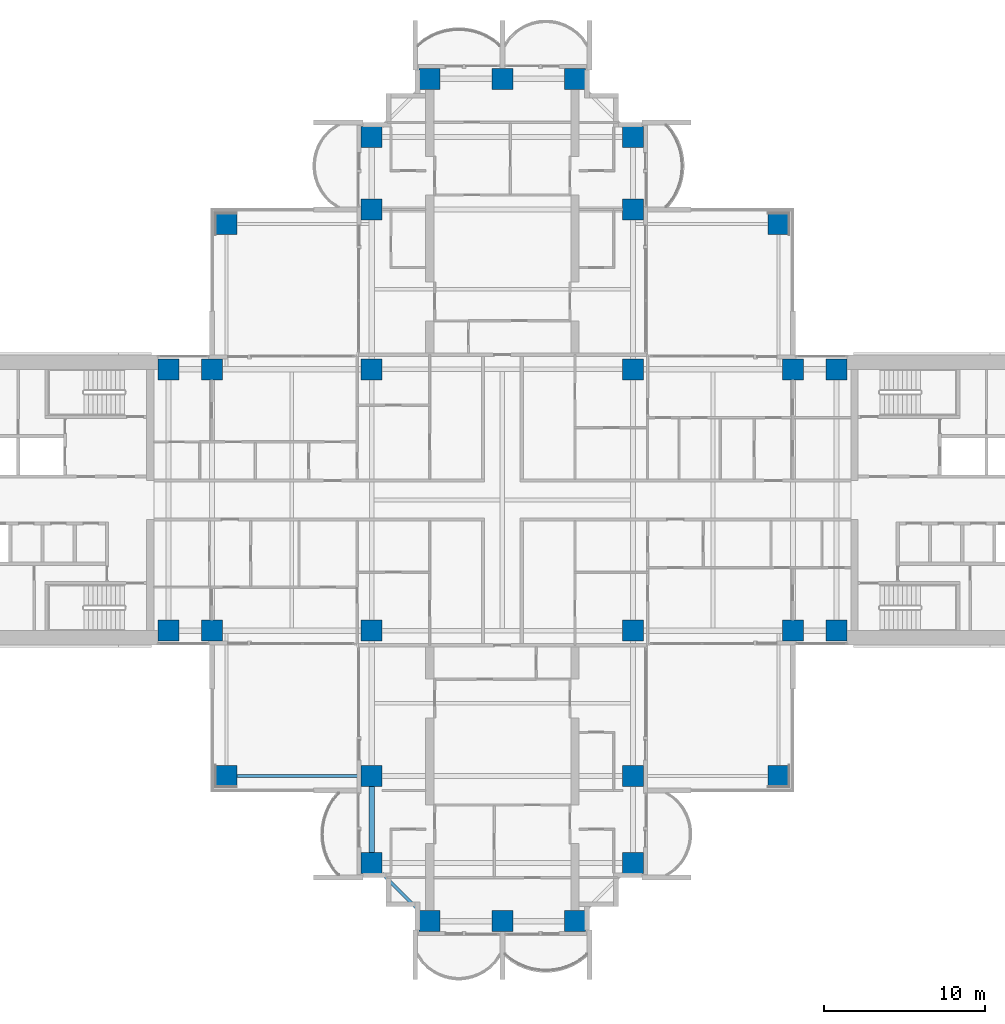
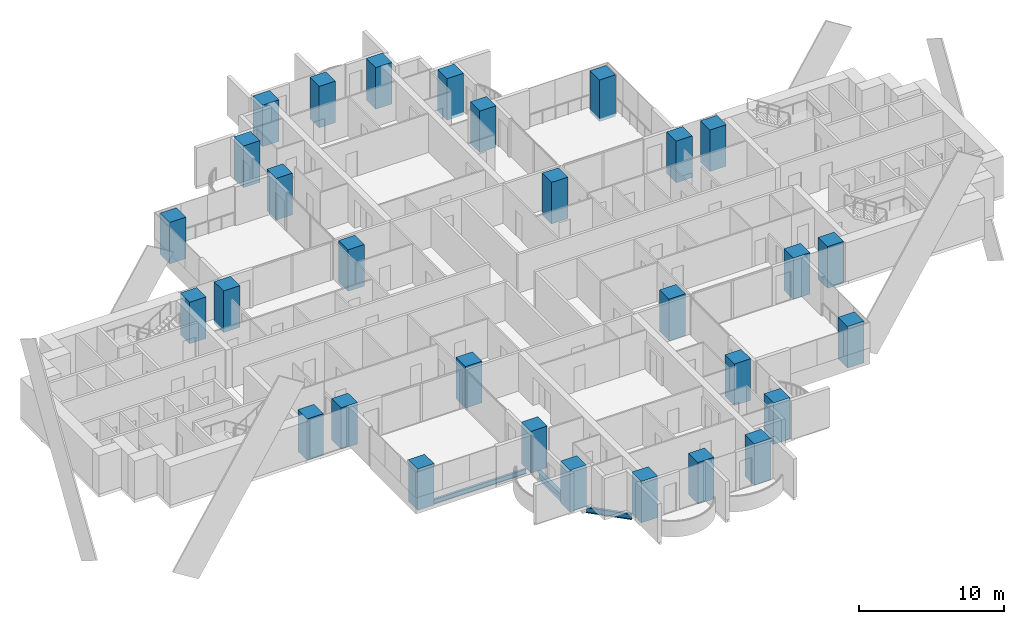
# One storey, part 1 of 23: 30 columns, 3 beams.
"""IFC4 building model written with IfcOpenShell, lengths in metres."""

from ifc_helpers import new_model, si_unit, direction, frame, origin, origin_2d, place, context, subcontext, project, spatial, rectangle, i_section, extrude, material, material_profile, profile_set, type_object, element, save


model = new_model("IFC4")

# Units and contexts
model_context = context("Model", 3, precision=1e-05, world=origin(), true_north=direction((0.0, 1.0)))
body_context = subcontext(model_context, "Body", "Model", "MODEL_VIEW")
ifc_project = project(units=[si_unit("LENGTHUNIT", "METRE"), si_unit("AREAUNIT", "SQUARE_METRE"), si_unit("VOLUMEUNIT", "CUBIC_METRE"), si_unit("PLANEANGLEUNIT", "RADIAN"), si_unit("MASSUNIT", "GRAM", prefix="KILO")], contexts=[model_context])

# Site, building, storey
site_placement = place(None, origin())
site = spatial("IfcSite", under=ifc_project, at=site_placement, CompositionType="ELEMENT")
building_placement = place(site_placement, origin())
building = spatial("IfcBuilding", under=site, at=building_placement, Name="Perihelion Cross Residences", CompositionType="ELEMENT")
storey_placement = place(building_placement, frame((0.0, 0.0, 85.5)))
storey = spatial("IfcBuildingStorey", under=building, at=storey_placement, Name="L19", CompositionType="ELEMENT", Elevation=85.5)

# Columns
ifc_material_1 = material(Name="Concrete C70/85", Category="concrete")
ifc_material_profile_1 = material_profile(ifc_material_1, rectangle(XDim=1.300048828125, YDim=1.300048828125, at=origin_2d()), Name="RC 1300x1300")
ifc_profile_set_1 = profile_set([ifc_material_profile_1], Name="Concrete C70/85")
column_type = type_object("IfcColumnType", Name="Reinforced concrete column 1300x1300 C70/85", PredefinedType="COLUMN", material=ifc_profile_set_1)
for number, where, z_axis, x_axis, name in (
    (1, (-20.699951171875, -8.10009765625, -0.25), (0.0, 0.0, 1.0), (1.0, 0.0, 0.0), "Column C017 L19 no. 1"),
    (2, (-20.699951171875, 8.10009765625, -0.25), (0.0, 0.0, 1.0), (1.0, 0.0, 0.0), "Column C010 L19 no. 1"),
    (3, (-18.0, -8.10009765625, -0.25), (0.0, 0.0, 1.0), (1.0, 0.0, 0.0), "Column C018 L19 no. 1"),
    (4, (-18.0, 8.10009765625, -0.25), (0.0, 0.0, 1.0), (1.0, 0.0, 0.0), "Column C011 L19 no. 1"),
    (5, (-8.10009765625, -22.5, -0.25), (0.0, 0.0, 1.0), (1.0, 0.0, 0.0), "Column C040 L19 no. 1"),
    (6, (-8.10009765625, -17.10009765625, -0.25), (0.0, 0.0, 1.0), (1.0, 0.0, 0.0), "Column C031 L19 no. 1"),
    (7, (-8.10009765625, -8.10009765625, -0.25), (0.0, 0.0, 1.0), (1.0, 0.0, 0.0), "Column C019 L19 no. 1"),
    (8, (-8.10009765625, 8.10009765625, -0.25), (0.0, 0.0, 1.0), (1.0, 0.0, 0.0), "Column C012 L19 no. 1"),
    (9, (-8.10009765625, 18.0, -0.25), (0.0, 0.0, 1.0), (1.0, 0.0, 0.0), "Column C006 L19 no. 1"),
    (10, (-8.10009765625, 22.5, -0.25), (0.0, 0.0, 1.0), (1.0, 0.0, 0.0), "Column C004 L19 no. 1"),
    (11, (-4.5, -26.10009765625, -0.25), (0.0, 0.0, 1.0), (1.0, 0.0, 0.0), "Column C042 L19 no. 1"),
    (12, (-4.5, 26.10009765625, -0.25), (0.0, 0.0, 1.0), (1.0, 0.0, 0.0), "Column C001 L19 no. 1"),
    (13, (0.0, -26.10009765625, -0.25), (0.0, 0.0, 1.0), (1.0, 0.0, 0.0), "Column C043 L19 no. 1"),
    (14, (0.0, 26.10009765625, -0.25), (0.0, 0.0, 1.0), (1.0, 0.0, 0.0), "Column C002 L19 no. 1"),
    (15, (4.5, -26.10009765625, -0.25), (0.0, 0.0, 1.0), (1.0, 0.0, 0.0), "Column C044 L19 no. 1"),
    (16, (4.5, 26.10009765625, -0.25), (0.0, 0.0, 1.0), (1.0, 0.0, 0.0), "Column C003 L19 no. 1"),
    (17, (8.10009765625, -22.5, -0.25), (0.0, 0.0, 1.0), (1.0, 0.0, 0.0), "Column C041 L19 no. 1"),
    (18, (8.10009765625, -17.10009765625, -0.25), (0.0, 0.0, 1.0), (1.0, 0.0, 0.0), "Column C035 L19 no. 1"),
    (19, (8.10009765625, -8.10009765625, -0.25), (0.0, 0.0, 1.0), (1.0, 0.0, 0.0), "Column C020 L19 no. 1"),
    (20, (8.10009765625, 8.10009765625, -0.25), (0.0, 0.0, 1.0), (1.0, 0.0, 0.0), "Column C014 L19 no. 1"),
    (21, (8.10009765625, 18.0, -0.25), (0.0, 0.0, 1.0), (1.0, 0.0, 0.0), "Column C007 L19 no. 1"),
    (22, (8.10009765625, 22.5, -0.25), (0.0, 0.0, 1.0), (1.0, 0.0, 0.0), "Column C005 L19 no. 1"),
    (23, (18.0, -8.10009765625, -0.25), (0.0, 0.0, 1.0), (1.0, 0.0, 0.0), "Column C021 L19 no. 1"),
    (24, (18.0, 8.10009765625, -0.25), (0.0, 0.0, 1.0), (1.0, 0.0, 0.0), "Column C015 L19 no. 1"),
    (25, (20.699951171875, -8.10009765625, -0.25), (0.0, 0.0, 1.0), (1.0, 0.0, 0.0), "Column C022 L19 no. 1"),
    (26, (20.699951171875, 8.10009765625, -0.25), (0.0, 0.0, 1.0), (1.0, 0.0, 0.0), "Column C016 L19 no. 1"),
    (27, (17.10009765625, 17.10009765625, -0.25), (0.0, 0.0, 1.0), (1.0, 0.0, 0.0), "Column C009 L19 no. 1"),
    (28, (-17.10009765625, 17.10009765625, -0.25), (0.0, 0.0, 1.0), (1.0, 0.0, 0.0), "Column C008 L19 no. 1"),
    (29, (-17.10009765625, -17.10009765625, -0.25), (0.0, 0.0, 1.0), (1.0, 0.0, 0.0), "Column C030 L19 no. 1"),
    (30, (17.10009765625, -17.10009765625, -0.25), (0.0, 0.0, 1.0), (1.0, 0.0, 0.0), "Column C036 L19 no. 1"),
):
    element("IfcColumn", number, at=place(storey_placement, frame(where, z_axis=z_axis, x_axis=x_axis)), inside=storey, type_object=column_type, Name=name, PredefinedType="COLUMN", context=body_context, shape_type="SweptSolid", body=[
        extrude(rectangle(XDim=1.300048828125, YDim=1.300048828125, at=origin_2d()), origin(), (0.0, 0.0, 1.0), 3.5),
    ])

# Beams
ifc_material_2 = material(Name="Steel S355", Category="steel")
ifc_material_profile_2 = material_profile(ifc_material_2, i_section(OverallWidth=0.177978515625, OverallDepth=0.406005859375, WebThickness=0.0078125, FlangeThickness=0.0126953125, at=origin_2d()), Name="W410x60")
ifc_profile_set_2 = profile_set([ifc_material_profile_2], Name="Steel S355")
beam_type_1 = type_object("IfcBeamType", Name="Core edge beam W410x60", PredefinedType="BEAM", material=ifc_profile_set_2)
beam_1_placement = place(storey_placement, frame((-8.75, -17.10009765625, -0.452880859375), z_axis=(-1.0, 0.0, 0.0), x_axis=(0.0, -1.0, 0.0)))
element("IfcBeam", 31, at=beam_1_placement, inside=storey, type_object=beam_type_1, Name="Core edge beam TB2 L19 corner no. 2", PredefinedType="BEAM", context=body_context, shape_type="SweptSolid", body=[
    extrude(i_section(OverallWidth=0.177978515625, OverallDepth=0.406005859375, WebThickness=0.0078125, FlangeThickness=0.0126953125, at=origin_2d()), origin(), (0.0, 0.0, 1.0), 7.699951171875),
])
ifc_material_3 = material(Name="Steel S355", Category="steel")
ifc_material_profile_3 = material_profile(ifc_material_3, i_section(OverallWidth=0.324951171875, OverallDepth=0.616943359375, WebThickness=0.013916015625, FlangeThickness=0.021484375, at=origin_2d()), Name="W610x174")
ifc_profile_set_3 = profile_set([ifc_material_profile_3], Name="Steel S355")
beam_type_2 = type_object("IfcBeamType", Name="Edge beam W610x174", PredefinedType="SPANDREL", material=ifc_profile_set_3)
beam_2_placement = place(storey_placement, frame((-8.10009765625, -17.75, -0.55859375), z_axis=(0.0, -1.0, 0.0), x_axis=(1.0, 0.0, 0.0)))
element("IfcBeam", 32, at=beam_2_placement, inside=storey, type_object=beam_type_2, Name="Edge beam SB2 L19 no. 5", PredefinedType="SPANDREL", context=body_context, shape_type="SweptSolid", body=[
    extrude(i_section(OverallWidth=0.324951171875, OverallDepth=0.616943359375, WebThickness=0.013916015625, FlangeThickness=0.021484375, at=origin_2d()), origin(), (0.0, 0.0, 1.0), 4.10009765625),
])
ifc_material_4 = material(Name="Steel S355", Category="steel")
ifc_material_profile_4 = material_profile(ifc_material_4, i_section(OverallWidth=0.194091796875, OverallDepth=0.469970703125, WebThickness=0.0126953125, FlangeThickness=0.0205078125, at=origin_2d()), Name="W460x106")
ifc_profile_set_4 = profile_set([ifc_material_profile_4], Name="Steel S355")
beam_type_3 = type_object("IfcBeamType", Name="Serration edge beam W460x106", PredefinedType="BEAM", material=ifc_profile_set_4)
beam_3_placement = place(storey_placement, frame((-7.449951171875, -23.14990234375, -0.485107421875), z_axis=(0.707106781187, -0.707106781187, 0.0), x_axis=(0.707106781187, 0.707106781187, 0.0)))
element("IfcBeam", 33, at=beam_3_placement, inside=storey, type_object=beam_type_3, Name="Serration edge beam EB2 L19 no. 2", PredefinedType="BEAM", context=body_context, shape_type="SweptSolid", body=[
    extrude(i_section(OverallWidth=0.194091796875, OverallDepth=0.469970703125, WebThickness=0.0126953125, FlangeThickness=0.0205078125, at=origin_2d()), origin(), (0.0, 0.0, 1.0), 3.252685546875),
])

save(model, "model.ifc")
